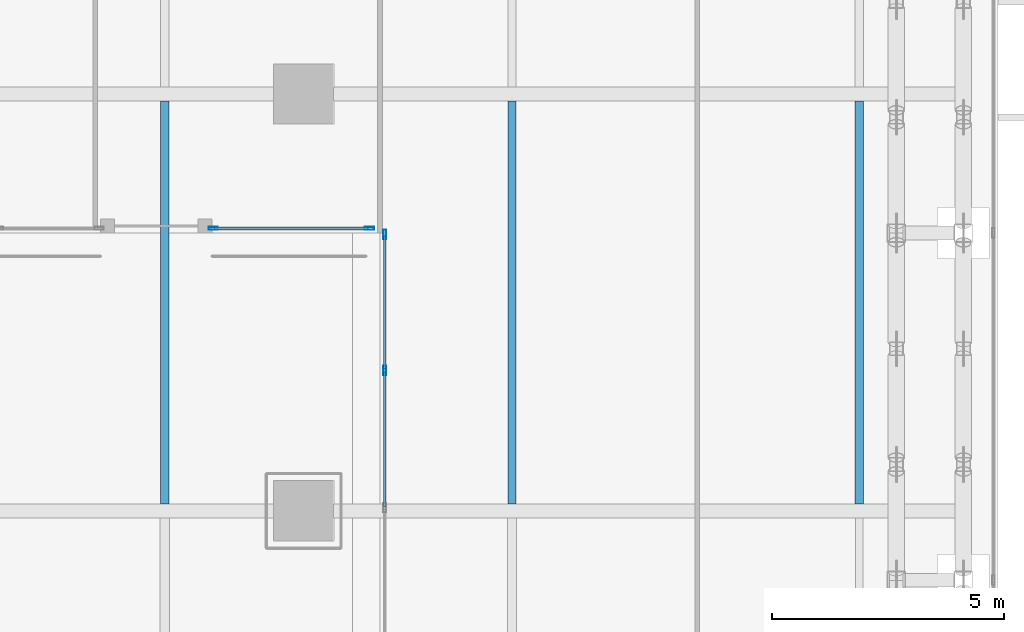
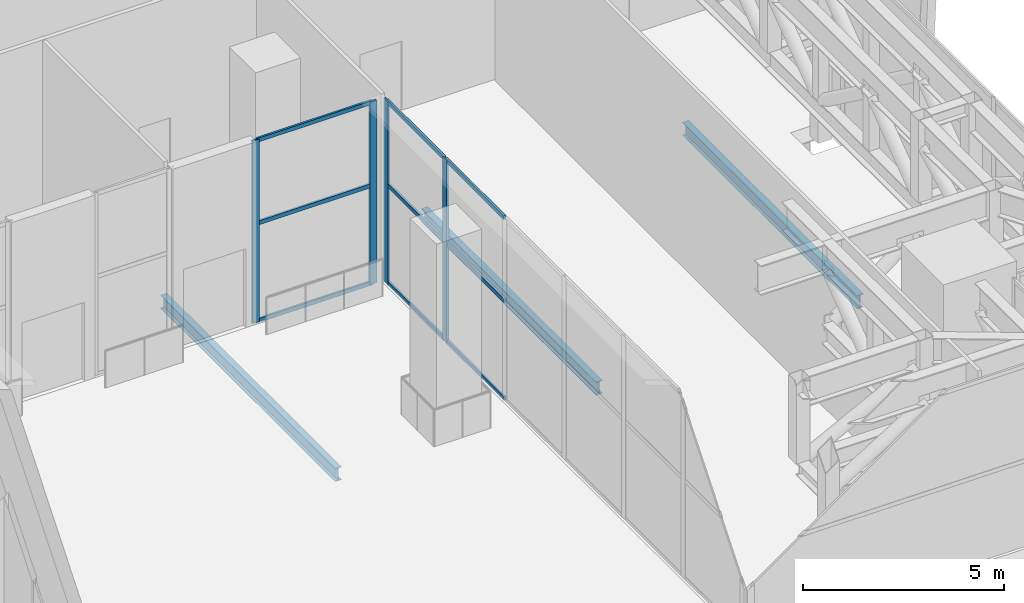
# One storey, part 15 of 47: 13 members, 3 beams, 2 elements without a shape of their own.
"""IFC4 building model written with IfcOpenShell, lengths in metres."""

from ifc_helpers import new_model, si_unit, direction, frame, origin, origin_2d, place, context, subcontext, project, spatial, hollow_rectangle, i_section, extrude, source, transform, mapped, material, material_profile, profile_set, type_object, element, aggregate, save


model = new_model("IFC4")

# Units and contexts
model_context = context("Model", 3, precision=1e-05, world=origin(), true_north=direction((0.0, 1.0)))
body_context = subcontext(model_context, "Body", "Model", "MODEL_VIEW")
ifc_project = project(units=[si_unit("LENGTHUNIT", "METRE"), si_unit("AREAUNIT", "SQUARE_METRE"), si_unit("VOLUMEUNIT", "CUBIC_METRE"), si_unit("PLANEANGLEUNIT", "RADIAN"), si_unit("MASSUNIT", "GRAM", prefix="KILO")], contexts=[model_context])

# Site, building, storey
site_placement = place(None, origin())
site = spatial("IfcSite", under=ifc_project, at=site_placement, CompositionType="ELEMENT")
building_placement = place(site_placement, origin())
building = spatial("IfcBuilding", under=site, at=building_placement, Name="Khomas Fold Tower", CompositionType="ELEMENT")
storey_placement = place(building_placement, frame((0.0, 0.0, 158.699951171875)))
storey = spatial("IfcBuildingStorey", under=building, at=storey_placement, Name="L34", CompositionType="ELEMENT", Elevation=158.699951171875)

# Beams
ifc_material_1 = material(Name="Steel S355", Category="steel")
ifc_material_profile_1 = material_profile(ifc_material_1, i_section(OverallWidth=0.179931640625, OverallDepth=0.39990234375, WebThickness=0.008544921875, FlangeThickness=0.013427734375, at=origin_2d()), Name="IPE 400")
ifc_profile_set_1 = profile_set([ifc_material_profile_1], Name="Steel S355")
beam_type = type_object("IfcBeamType", Name="IPE 400 beam JB3", PredefinedType="BEAM", material=ifc_profile_set_1)
shared_shape_1 = source(origin(), body_context, "Body", "SweptSolid", [
    extrude(i_section(OverallWidth=0.179931640625, OverallDepth=0.39990234375, WebThickness=0.008544921875, FlangeThickness=0.013427734375, at=origin_2d()), origin(), (0.0, 0.0, 1.0), 8.7001953125),
])
for number, where, z_axis, x_axis, name in (
    (1, (34.5, 13.64990234375, -0.64990234375), (0.0, 1.0, 0.0), (-1.0, 0.0, 0.0), "JB3"),
    (2, (42.0, 13.64990234375, -0.64990234375), (0.0, 1.0, 0.0), (-1.0, 0.0, 0.0), "JB3"),
    (3, (49.5, 13.64990234375, -0.64990234375), (0.0, 1.0, 0.0), (-1.0, 0.0, 0.0), "JB3"),
):
    element("IfcBeam", number, at=place(storey_placement, frame(where, z_axis=z_axis, x_axis=x_axis)), inside=storey, type_object=beam_type, Name=name, PredefinedType="BEAM", context=body_context, shape_type="MappedRepresentation", body=[
        mapped(shared_shape_1, transform((0.0, 0.0, 0.0))),
    ])

# Curtain wall, members
ifc_material_2 = material(Name="Aluminium framed double glazing", Category="aluminium")
curtain_wall_type = type_object("IfcCurtainWallType", Name="Notch glazing GN-CW", PredefinedType="NOTDEFINED", material=ifc_material_2)
curtain_wall_1_placement = place(storey_placement, origin())
curtain_wall_1 = element("IfcCurtainWall", 4, at=curtain_wall_1_placement, inside=storey, type_object=curtain_wall_type, Name="Notch glazing run", PredefinedType="NOTDEFINED")
ifc_material_3 = material(Name="Aluminium", Category="aluminium")
ifc_material_profile_2 = material_profile(ifc_material_3, hollow_rectangle(XDim=0.06005859375, YDim=0.199951171875, WallThickness=0.00390625, at=origin_2d()), Name="Notch glazing mullion GN-CW-M")
ifc_profile_set_2 = profile_set([ifc_material_profile_2], Name="Aluminium")
member_type_1 = type_object("IfcMemberType", Name="Notch glazing mullion GN-CW-M", PredefinedType="MULLION", material=ifc_profile_set_2)
shared_shape_2 = source(origin(), body_context, "Body", "SweptSolid", [
    extrude(hollow_rectangle(XDim=0.06005859375, YDim=0.199951171875, WallThickness=0.00390625, at=origin_2d()), origin(), (0.0, 0.0, 1.0), 5.550048828125),
])
member_1_placement = place(storey_placement, frame((35.546630859375, 19.60009765625, 0.0), z_axis=(0.0, 0.0, 1.0), x_axis=(0.0, 1.0, 0.0)))
member_1 = element("IfcMember", 5, at=member_1_placement, type_object=member_type_1, Name="GN-CW mullion 1", PredefinedType="MULLION", context=body_context, shape_type="MappedRepresentation", body=[
    mapped(shared_shape_2, transform((0.0, 0.0, 0.0))),
])
member_2_placement = place(storey_placement, frame((38.919921875, 19.60009765625, 0.0), z_axis=(0.0, 0.0, 1.0), x_axis=(0.0, 1.0, 0.0)))
member_2 = element("IfcMember", 6, at=member_2_placement, type_object=member_type_1, Name="GN-CW mullion 2", PredefinedType="MULLION", context=body_context, shape_type="MappedRepresentation", body=[
    mapped(shared_shape_2, transform((0.0, 0.0, 0.0))),
])

curtain_wall_2_placement = place(storey_placement, origin())
curtain_wall_2 = element("IfcCurtainWall", 7, at=curtain_wall_2_placement, inside=storey, type_object=curtain_wall_type, Name="Notch glazing run", PredefinedType="NOTDEFINED")
member_3_placement = place(storey_placement, frame((39.25, 19.469970703125, 0.0), z_axis=(0.0, 0.0, 1.0), x_axis=(1.0, 0.0, 0.0)))
member_3 = element("IfcMember", 8, at=member_3_placement, type_object=member_type_1, Name="GN-CW mullion 1", PredefinedType="MULLION", context=body_context, shape_type="MappedRepresentation", body=[
    mapped(shared_shape_2, transform((0.0, 0.0, 0.0))),
])
member_4_placement = place(storey_placement, frame((39.25, 16.533447265625, 0.0), z_axis=(0.0, 0.0, 1.0), x_axis=(1.0, 0.0, 0.0)))
member_4 = element("IfcMember", 9, at=member_4_placement, type_object=member_type_1, Name="GN-CW mullion 2", PredefinedType="MULLION", context=body_context, shape_type="MappedRepresentation", body=[
    mapped(shared_shape_2, transform((0.0, 0.0, 0.0))),
])

# Member
ifc_material_4 = material(Name="Aluminium", Category="aluminium")
ifc_material_profile_3 = material_profile(ifc_material_4, hollow_rectangle(XDim=0.06005859375, YDim=0.1201171875, WallThickness=0.00390625, at=origin_2d()), Name="Notch glazing transom GN-CW-T")
ifc_profile_set_3 = profile_set([ifc_material_profile_3], Name="Aluminium")
member_type_2 = type_object("IfcMemberType", Name="Notch glazing transom GN-CW-T", PredefinedType="USERDEFINED", material=ifc_profile_set_3)
shared_shape_3 = source(origin(), body_context, "Body", "SweptSolid", [
    extrude(hollow_rectangle(XDim=0.06005859375, YDim=0.1201171875, WallThickness=0.00390625, at=origin_2d()), origin(), (0.0, 0.0, 1.0), 3.313232421875),
])
member_5_placement = place(storey_placement, frame((35.57666015625, 19.60009765625, 0.030029296875), z_axis=(1.0, 0.0, 0.0), x_axis=(0.0, 1.0, 0.0)))
member_5 = element("IfcMember", 10, at=member_5_placement, type_object=member_type_2, Name="GN-CW transom 1.1", ObjectType="TRANSOM", PredefinedType="USERDEFINED", context=body_context, shape_type="MappedRepresentation", body=[
    mapped(shared_shape_3, transform((0.0, 0.0, 0.0))),
])

member_6_placement = place(storey_placement, frame((35.57666015625, 19.60009765625, 3.0), z_axis=(1.0, 0.0, 0.0), x_axis=(0.0, 1.0, 0.0)))
member_6 = element("IfcMember", 11, at=member_6_placement, type_object=member_type_2, Name="GN-CW transom 1.2", ObjectType="TRANSOM", PredefinedType="USERDEFINED", context=body_context, shape_type="MappedRepresentation", body=[
    mapped(shared_shape_3, transform((0.0, 0.0, 0.0))),
])

member_7_placement = place(storey_placement, frame((35.57666015625, 19.60009765625, 5.52001953125), z_axis=(1.0, 0.0, 0.0), x_axis=(0.0, 1.0, 0.0)))
member_7 = element("IfcMember", 12, at=member_7_placement, type_object=member_type_2, Name="GN-CW transom 1.3", ObjectType="TRANSOM", PredefinedType="USERDEFINED", context=body_context, shape_type="MappedRepresentation", body=[
    mapped(shared_shape_3, transform((0.0, 0.0, 0.0))),
])

aggregate(curtain_wall_1, [member_1, member_2, member_5, member_6, member_7])

shared_shape_4 = source(origin(), body_context, "Body", "SweptSolid", [
    extrude(hollow_rectangle(XDim=0.06005859375, YDim=0.1201171875, WallThickness=0.00390625, at=origin_2d()), origin(), (0.0, 0.0, 1.0), 2.876708984375),
])
member_8_placement = place(storey_placement, frame((39.25, 19.43994140625, 0.030029296875), z_axis=(0.0, -1.0, 0.0), x_axis=(1.0, 0.0, 0.0)))
member_8 = element("IfcMember", 13, at=member_8_placement, type_object=member_type_2, Name="GN-CW transom 1.1", ObjectType="TRANSOM", PredefinedType="USERDEFINED", context=body_context, shape_type="MappedRepresentation", body=[
    mapped(shared_shape_4, transform((0.0, 0.0, 0.0))),
])

member_9_placement = place(storey_placement, frame((39.25, 19.43994140625, 3.0), z_axis=(0.0, -1.0, 0.0), x_axis=(1.0, 0.0, 0.0)))
member_9 = element("IfcMember", 14, at=member_9_placement, type_object=member_type_2, Name="GN-CW transom 1.2", ObjectType="TRANSOM", PredefinedType="USERDEFINED", context=body_context, shape_type="MappedRepresentation", body=[
    mapped(shared_shape_4, transform((0.0, 0.0, 0.0))),
])

member_10_placement = place(storey_placement, frame((39.25, 19.43994140625, 5.52001953125), z_axis=(0.0, -1.0, 0.0), x_axis=(1.0, 0.0, 0.0)))
member_10 = element("IfcMember", 15, at=member_10_placement, type_object=member_type_2, Name="GN-CW transom 1.3", ObjectType="TRANSOM", PredefinedType="USERDEFINED", context=body_context, shape_type="MappedRepresentation", body=[
    mapped(shared_shape_4, transform((0.0, 0.0, 0.0))),
])

shared_shape_5 = source(origin(), body_context, "Body", "SweptSolid", [
    extrude(hollow_rectangle(XDim=0.06005859375, YDim=0.1201171875, WallThickness=0.00390625, at=origin_2d()), origin(), (0.0, 0.0, 1.0), 2.90673828125),
])
member_11_placement = place(storey_placement, frame((39.25, 16.50341796875, 0.030029296875), z_axis=(0.0, -1.0, 0.0), x_axis=(1.0, 0.0, 0.0)))
member_11 = element("IfcMember", 16, at=member_11_placement, type_object=member_type_2, Name="GN-CW transom 2.1", ObjectType="TRANSOM", PredefinedType="USERDEFINED", context=body_context, shape_type="MappedRepresentation", body=[
    mapped(shared_shape_5, transform((0.0, 0.0, 0.0))),
])

member_12_placement = place(storey_placement, frame((39.25, 16.50341796875, 3.0), z_axis=(0.0, -1.0, 0.0), x_axis=(1.0, 0.0, 0.0)))
member_12 = element("IfcMember", 17, at=member_12_placement, type_object=member_type_2, Name="GN-CW transom 2.2", ObjectType="TRANSOM", PredefinedType="USERDEFINED", context=body_context, shape_type="MappedRepresentation", body=[
    mapped(shared_shape_5, transform((0.0, 0.0, 0.0))),
])

member_13_placement = place(storey_placement, frame((39.25, 16.50341796875, 5.52001953125), z_axis=(0.0, -1.0, 0.0), x_axis=(1.0, 0.0, 0.0)))
member_13 = element("IfcMember", 18, at=member_13_placement, type_object=member_type_2, Name="GN-CW transom 2.3", ObjectType="TRANSOM", PredefinedType="USERDEFINED", context=body_context, shape_type="MappedRepresentation", body=[
    mapped(shared_shape_5, transform((0.0, 0.0, 0.0))),
])

aggregate(curtain_wall_2, [member_3, member_4, member_8, member_9, member_10, member_11, member_12, member_13])

save(model, "model.ifc")
